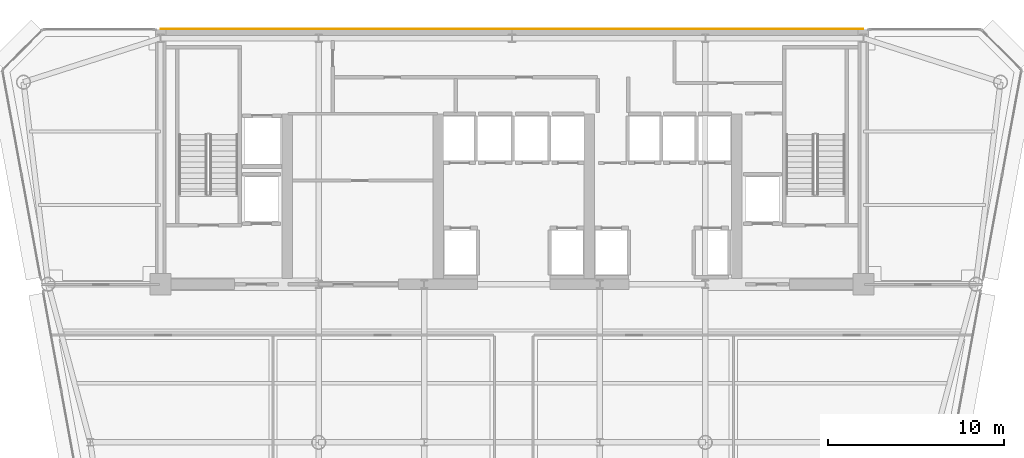
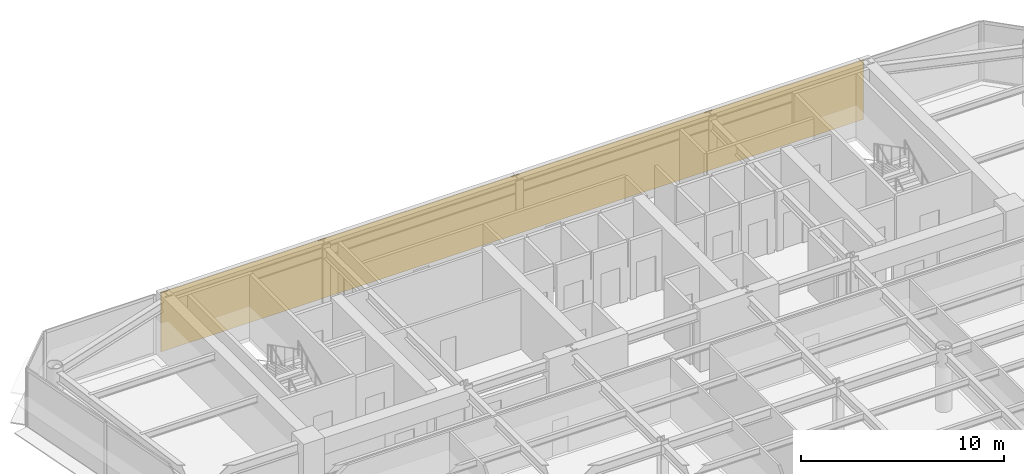
# One storey, part 14 of 15: 1 covering.
"""IFC4 building model written with IfcOpenShell, lengths in metres."""

from ifc_helpers import new_model, si_unit, direction, frame, origin, place, context, subcontext, project, spatial, polyline, outline, extrude, material, layer, layer_set, type_object, element, save


model = new_model("IFC4")

# Units and contexts
model_context = context("Model", 3, precision=1e-05, world=origin(), true_north=direction((0.0, 1.0)))
body_context = subcontext(model_context, "Body", "Model", "MODEL_VIEW")
ifc_project = project(units=[si_unit("LENGTHUNIT", "METRE"), si_unit("AREAUNIT", "SQUARE_METRE"), si_unit("VOLUMEUNIT", "CUBIC_METRE"), si_unit("PLANEANGLEUNIT", "RADIAN"), si_unit("MASSUNIT", "GRAM", prefix="KILO")], contexts=[model_context])

# Site, building, storey
site_placement = place(None, origin())
site = spatial("IfcSite", under=ifc_project, at=site_placement, CompositionType="ELEMENT")
building_placement = place(site_placement, origin())
building = spatial("IfcBuilding", under=site, at=building_placement, Name="Vaeldorn Concourse Tower", CompositionType="ELEMENT")
storey_placement = place(building_placement, frame((0.0, 0.0, 199.39990234375)))
storey = spatial("IfcBuildingStorey", under=building, at=storey_placement, Name="L51", CompositionType="ELEMENT", Elevation=199.39990234375)

# Covering
ifc_material = material(Name="Anodised Bronze Aluminium", Category="aluminium")
ifc_layer = layer(ifc_material, 0.050048828125)
ifc_layer_set = layer_set([ifc_layer], Name="Anodised Bronze Aluminium")
covering_type = type_object("IfcCoveringType", Name="COV-CLAD-BRONZE", PredefinedType="CLADDING", material=ifc_layer_set)
covering_placement = place(storey_placement, origin())
element("IfcCovering", 1, at=covering_placement, inside=storey, type_object=covering_type, Name="Rear Core Bronze Spandrel Cladding L51", PredefinedType="CLADDING", context=body_context, shape_type="SweptSolid", body=[
    extrude(outline(polyline([(14.0, 51.0), (54.0, 51.0), (54.0, 51.050048828125), (14.0, 51.050048828125), (14.0, 51.0)])), origin(), (0.0, 0.0, 1.0), 3.580078125),
])

save(model, "model.ifc")
